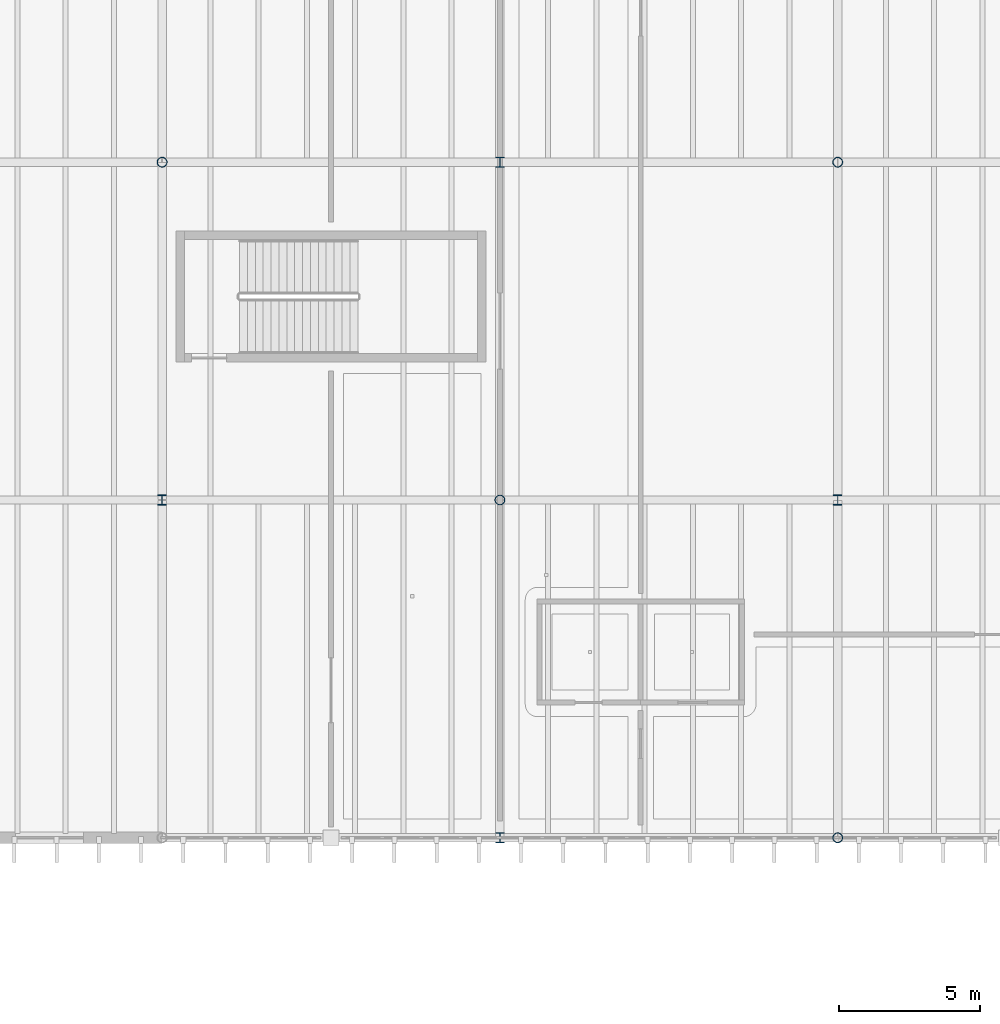
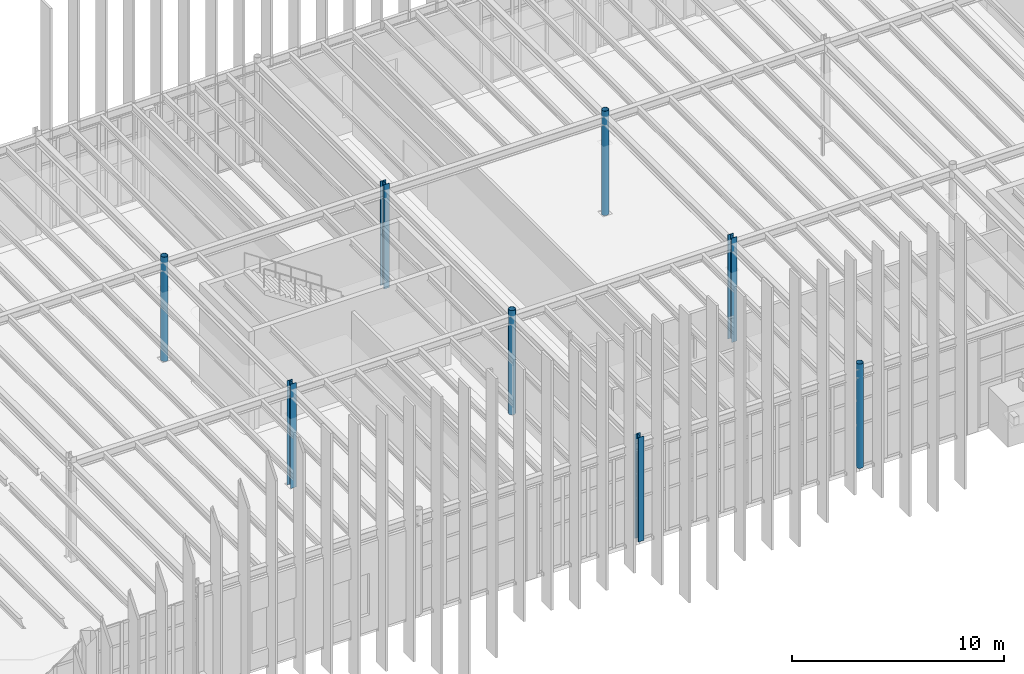
# One storey, part 4 of 83: 8 columns.
"""IFC4 building model written with IfcOpenShell, lengths in metres."""

from ifc_helpers import new_model, si_unit, direction, frame, origin, origin_2d, place, context, subcontext, project, spatial, hollow_circle, i_section, extrude, material, material_profile, profile_set, type_object, element, save


model = new_model("IFC4")

# Units and contexts
model_context = context("Model", 3, precision=1e-05, world=origin(), true_north=direction((0.0, 1.0)))
body_context = subcontext(model_context, "Body", "Model", "MODEL_VIEW")
ifc_project = project(units=[si_unit("LENGTHUNIT", "METRE"), si_unit("AREAUNIT", "SQUARE_METRE"), si_unit("VOLUMEUNIT", "CUBIC_METRE"), si_unit("PLANEANGLEUNIT", "RADIAN"), si_unit("MASSUNIT", "GRAM", prefix="KILO")], contexts=[model_context])

# Site, building, storey
site_placement = place(None, origin())
site = spatial("IfcSite", under=ifc_project, at=site_placement, CompositionType="ELEMENT")
building_placement = place(site_placement, origin())
building = spatial("IfcBuilding", under=site, at=building_placement, Name="Zlatogorsky Bluff Art Gallery", CompositionType="ELEMENT")
storey_placement = place(building_placement, frame((0.0, 0.0, 10.800048828125)))
storey = spatial("IfcBuildingStorey", under=building, at=storey_placement, Name="L02", CompositionType="ELEMENT", Elevation=10.800048828125)

# Columns
ifc_material = material(Name="Steel S355", Category="steel")
ifc_material_profile_1 = material_profile(ifc_material, i_section(OverallWidth=0.300048828125, OverallDepth=0.360107421875, WebThickness=0.012451171875, FlangeThickness=0.0224609375, FilletRadius=0.027099609375, at=origin_2d()), Name="HEB 360")
ifc_profile_set_1 = profile_set([ifc_material_profile_1], Name="Steel S355")
column_type_1 = type_object("IfcColumnType", Name="Column CL-05 HEB 360", PredefinedType="COLUMN", material=ifc_profile_set_1)
for number, where, z_axis, x_axis, name in (
    (1, (36.0, 96.0, 0.0), (0.0, 0.0, 1.0), (1.0, 0.0, 0.0), "Column CL-05 L02 D10"),
    (2, (48.0, 84.0, 0.0), (0.0, 0.0, 1.0), (1.0, 0.0, 0.0), "Column CL-05 L02 E9"),
    (3, (48.0, 108.0, 0.0), (0.0, 0.0, 1.0), (1.0, 0.0, 0.0), "Column CL-05 L02 E11"),
    (4, (60.0, 96.0, 0.0), (0.0, 0.0, 1.0), (1.0, 0.0, 0.0), "Column CL-05 L02 F10"),
):
    element("IfcColumn", number, at=place(storey_placement, frame(where, z_axis=z_axis, x_axis=x_axis)), inside=storey, type_object=column_type_1, Name=name, PredefinedType="COLUMN", context=body_context, shape_type="SweptSolid", body=[
        extrude(i_section(OverallWidth=0.300048828125, OverallDepth=0.360107421875, WebThickness=0.012451171875, FlangeThickness=0.0224609375, FilletRadius=0.027099609375, at=origin_2d()), origin(), (0.0, 0.0, 1.0), 6.0),
    ])
ifc_material_profile_2 = material_profile(ifc_material, hollow_circle(Radius=0.177734375, WallThickness=0.01611328125, at=origin_2d()), Name="CHS 355.6x16")
ifc_profile_set_2 = profile_set([ifc_material_profile_2], Name="Steel S355")
column_type_2 = type_object("IfcColumnType", Name="Column CL-10 CHS 355.6x16", PredefinedType="COLUMN", material=ifc_profile_set_2)
for number, where, z_axis, x_axis, name in (
    (5, (36.0, 108.0, 0.0), (0.0, 0.0, 1.0), (1.0, 0.0, 0.0), "Column CL-10 L02 D11"),
    (6, (48.0, 96.0, 0.0), (0.0, 0.0, 1.0), (1.0, 0.0, 0.0), "Column CL-10 L02 E10"),
    (7, (60.0, 84.0, 0.0), (0.0, 0.0, 1.0), (1.0, 0.0, 0.0), "Column CL-10 L02 F9"),
    (8, (60.0, 108.0, 0.0), (0.0, 0.0, 1.0), (1.0, 0.0, 0.0), "Column CL-10 L02 F11"),
):
    element("IfcColumn", number, at=place(storey_placement, frame(where, z_axis=z_axis, x_axis=x_axis)), inside=storey, type_object=column_type_2, Name=name, PredefinedType="COLUMN", context=body_context, shape_type="SweptSolid", body=[
        extrude(hollow_circle(Radius=0.177734375, WallThickness=0.01611328125, at=origin_2d()), origin(), (0.0, 0.0, 1.0), 6.0),
    ])

save(model, "model.ifc")
